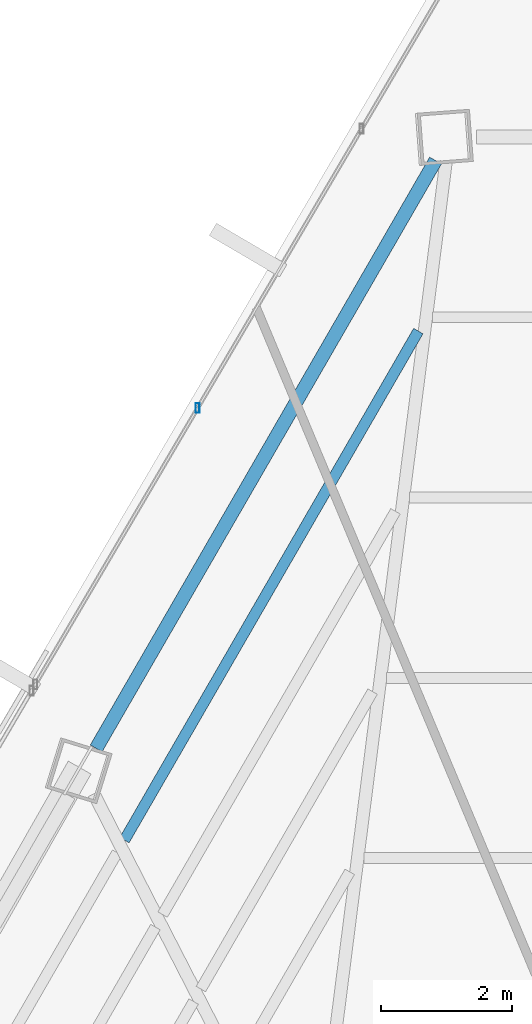
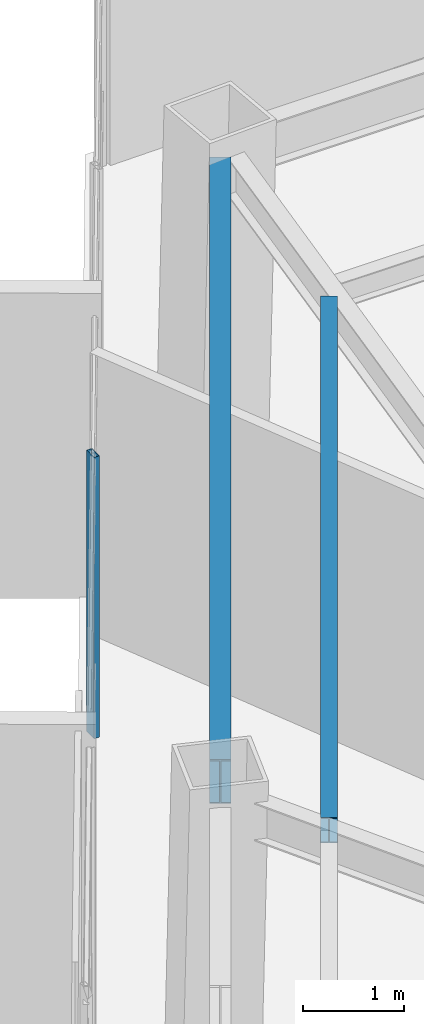
# One storey, part 27 of 42: 2 beams, 1 member, 1 element without a shape of its own.
"""IFC4 building model written with IfcOpenShell, lengths in metres."""

from ifc_helpers import new_model, si_unit, direction, frame, origin, origin_2d, place, context, subcontext, project, spatial, hollow_rectangle, i_section, extrude, source, transform, mapped, material, material_profile, profile_set, type_object, type_shapes, element, aggregate, save


model = new_model("IFC4")

# Units and contexts
model_context = context("Model", 3, precision=1e-05, world=origin(), true_north=direction((0.0, 1.0)))
body_context = subcontext(model_context, "Body", "Model", "MODEL_VIEW")
ifc_project = project(units=[si_unit("LENGTHUNIT", "METRE"), si_unit("AREAUNIT", "SQUARE_METRE"), si_unit("VOLUMEUNIT", "CUBIC_METRE"), si_unit("PLANEANGLEUNIT", "RADIAN"), si_unit("MASSUNIT", "GRAM", prefix="KILO")], contexts=[model_context])

# Site, building, storey
site_placement = place(None, origin())
site = spatial("IfcSite", under=ifc_project, at=site_placement, CompositionType="ELEMENT")
building_placement = place(site_placement, origin())
building = spatial("IfcBuilding", under=site, at=building_placement, Name="Caelisora Broadcast Tower", CompositionType="ELEMENT")
storey_placement = place(building_placement, frame((0.0, 0.0, 187.699951171875)))
storey = spatial("IfcBuildingStorey", under=building, at=storey_placement, Name="L49", CompositionType="ELEMENT", Elevation=187.699951171875)

# Beams
ifc_material_1 = material(Name="Steel Grade 350 (AS/NZS 3679.1)", Category="steel")
ifc_material_profile_1 = material_profile(ifc_material_1, i_section(OverallWidth=0.208984375, OverallDepth=0.532958984375, WebThickness=0.01025390625, FlangeThickness=0.015625, at=origin_2d()), Name="Steel Grade 350 (AS/NZS 3679.1)")
ifc_profile_set_1 = profile_set([ifc_material_profile_1], Name="Steel Grade 350 (AS/NZS 3679.1)")
beam_type_1 = type_object("IfcBeamType", Name="PG05", PredefinedType="BEAM", material=ifc_profile_set_1)
shared_shape_1 = source(origin(), body_context, "Body", "SweptSolid", [
    extrude(i_section(OverallWidth=0.208984375, OverallDepth=0.532958984375, WebThickness=0.01025390625, FlangeThickness=0.015625, at=origin_2d()), origin(), (0.0, 0.0, 1.0), 10.39306640625),
])
type_shapes(beam_type_1, [shared_shape_1])
beam_1_placement = place(storey_placement, frame((32.39208984375, 46.199951171875, 3.133544921875), z_axis=(-0.499996963119, -0.866027157121, 0.0), x_axis=(0.866027157121, -0.499996963119, 0.0)))
element("IfcBeam", 1, at=beam_1_placement, inside=storey, type_object=beam_type_1, Name="L49 beam PG05", PredefinedType="BEAM", context=body_context, shape_type="MappedRepresentation", body=[
    mapped(shared_shape_1, transform((0.0, 0.0, 0.0), scale=1.0)),
])
ifc_material_profile_2 = material_profile(ifc_material_1, i_section(OverallWidth=0.166015625, OverallDepth=0.30712890625, WebThickness=0.006591796875, FlangeThickness=0.01171875, at=origin_2d()), Name="Steel Grade 350 (AS/NZS 3679.1)")
ifc_profile_set_2 = profile_set([ifc_material_profile_2], Name="Steel Grade 350 (AS/NZS 3679.1)")
beam_type_2 = type_object("IfcBeamType", Name="SB03", PredefinedType="JOIST", material=ifc_profile_set_2)
shared_shape_2 = source(origin(), body_context, "Body", "SweptSolid", [
    extrude(i_section(OverallWidth=0.166015625, OverallDepth=0.30712890625, WebThickness=0.006591796875, FlangeThickness=0.01171875, at=origin_2d()), origin(), (0.0, 0.0, 1.0), 9.0),
])
type_shapes(beam_type_2, [shared_shape_2])
beam_2_placement = place(storey_placement, frame((32.128173828125, 43.589111328125, 3.246337890625), z_axis=(-0.5000018851, -0.866024315419, 0.0), x_axis=(0.866024315419, -0.5000018851, 0.0)))
element("IfcBeam", 2, at=beam_2_placement, inside=storey, type_object=beam_type_2, Name="L49 beam SB03", PredefinedType="JOIST", context=body_context, shape_type="MappedRepresentation", body=[
    mapped(shared_shape_2, transform((0.0, 0.0, 0.0), scale=1.0)),
])

# Curtain wall, member
ifc_material_2 = material(Name="Unitised Aluminium and Low-E Glass Curtain Wall", Category="glass")
curtain_wall_type = type_object("IfcCurtainWallType", Name="CW-Z4", PredefinedType="NOTDEFINED", material=ifc_material_2)
curtain_wall_placement = place(storey_placement, origin())
curtain_wall = element("IfcCurtainWall", 3, at=curtain_wall_placement, inside=storey, type_object=curtain_wall_type, Name="L49 curtain wall CW-Z4", PredefinedType="NOTDEFINED")
ifc_material_3 = material(Name="Aluminium 6063-T6 Anodised Terracotta Bronze", Category="aluminium")
ifc_material_profile_3 = material_profile(ifc_material_3, hollow_rectangle(XDim=0.06005859375, YDim=0.14990234375, WallThickness=0.00341796875, at=origin_2d()), Name="Aluminium 6063-T6 Anodised Terracotta Bronze")
ifc_profile_set_3 = profile_set([ifc_material_profile_3], Name="Aluminium 6063-T6 Anodised Terracotta Bronze")
member_type = type_object("IfcMemberType", Name="CWM-03", PredefinedType="MULLION", material=ifc_profile_set_3)
shared_shape_3 = source(origin(), body_context, "Body", "SweptSolid", [
    extrude(hollow_rectangle(XDim=0.06005859375, YDim=0.14990234375, WallThickness=0.00341796875, at=origin_2d()), origin(), (0.0, 0.0, 1.0), 3.400146484375),
])
type_shapes(member_type, [shared_shape_3])
member_placement = place(storey_placement, frame((28.74951171875, 42.410400390625, 0.0), z_axis=(0.0, 0.0, 1.0), x_axis=(1.0, 0.0, 0.0)))
member = element("IfcMember", 4, at=member_placement, type_object=member_type, Name="L49-CW-B11 mullion #1", PredefinedType="MULLION", context=body_context, shape_type="MappedRepresentation", body=[
    mapped(shared_shape_3, transform((0.0, 0.0, 0.0), scale=1.0)),
])
aggregate(curtain_wall, [member])

save(model, "model.ifc")
